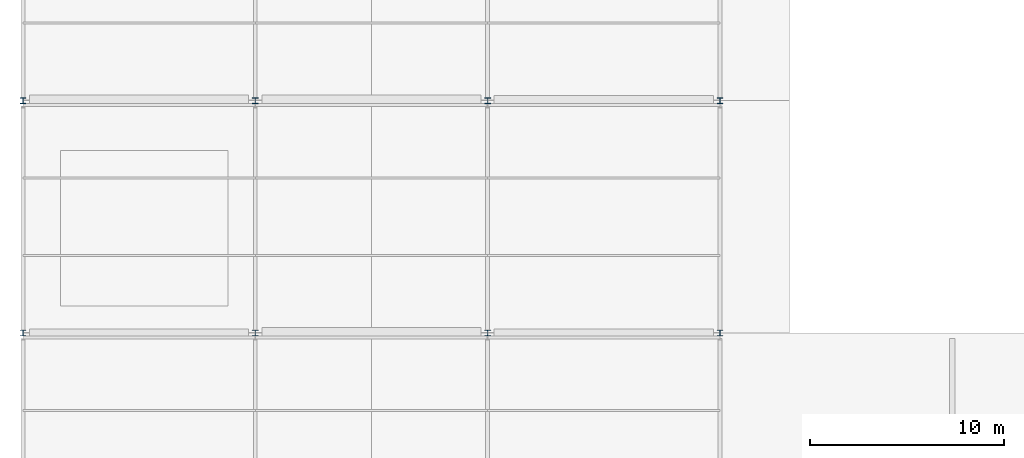
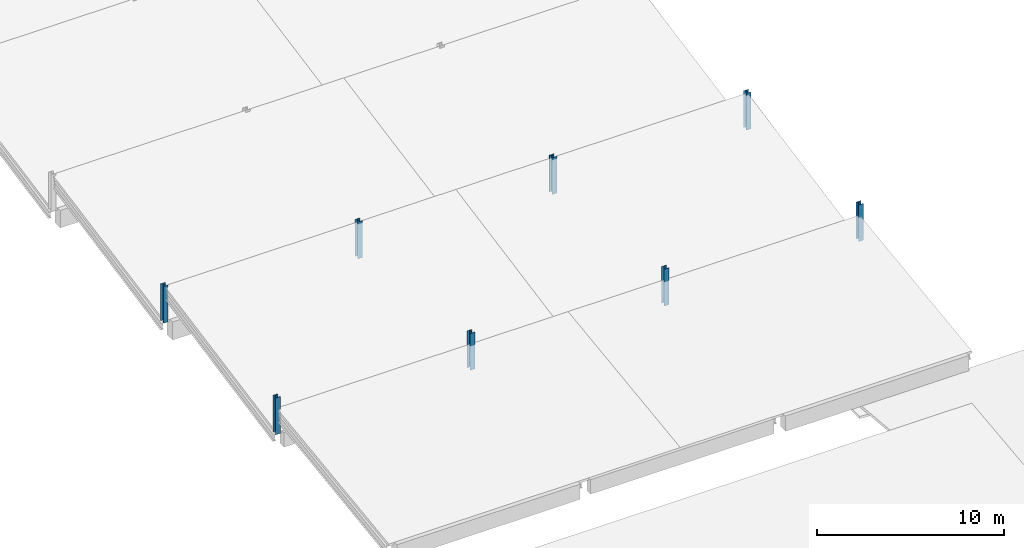
# One storey, part 1 of 23: 8 columns.
"""IFC4 building model written with IfcOpenShell, lengths in metres."""

from ifc_helpers import new_model, si_unit, direction, frame, origin, origin_2d, place, context, subcontext, project, spatial, i_section, extrude, material, material_profile, profile_set, type_object, element, save


model = new_model("IFC4")

# Units and contexts
model_context = context("Model", 3, precision=1e-05, world=origin(), true_north=direction((0.0, 1.0)))
body_context = subcontext(model_context, "Body", "Model", "MODEL_VIEW")
ifc_project = project(units=[si_unit("LENGTHUNIT", "METRE"), si_unit("AREAUNIT", "SQUARE_METRE"), si_unit("VOLUMEUNIT", "CUBIC_METRE"), si_unit("PLANEANGLEUNIT", "RADIAN"), si_unit("MASSUNIT", "GRAM", prefix="KILO")], contexts=[model_context])

# Site, building, storey
site_placement = place(None, origin())
site = spatial("IfcSite", under=ifc_project, at=site_placement, CompositionType="ELEMENT")
building_placement = place(site_placement, origin())
building = spatial("IfcBuilding", under=site, at=building_placement, Name="Kamomehara Wholesale Market", CompositionType="ELEMENT")
storey_placement = place(building_placement, frame((0.0, 0.0, 21.0)))
storey = spatial("IfcBuildingStorey", under=building, at=storey_placement, Name="RF", CompositionType="ELEMENT", Elevation=21.0)

# Columns
ifc_material_1 = material(Name="Steel SN490B", Category="steel")
ifc_material_profile_1 = material_profile(ifc_material_1, i_section(OverallWidth=0.300048828125, OverallDepth=0.300048828125, WebThickness=0.010009765625, FlangeThickness=0.014892578125, FilletRadius=0.012939453125, at=origin_2d()), Name="H-300x300x10x15")
ifc_profile_set_1 = profile_set([ifc_material_profile_1], Name="Steel SN490B")
column_type_1 = type_object("IfcColumnType", Name="COL-ST-H300", PredefinedType="COLUMN", material=ifc_profile_set_1)
for number, where, z_axis, x_axis, name in (
    (1, (12.0, 72.0, -4.800048828125), (0.0, 0.0, 1.0), (1.0, 0.0, 0.0), "Column CS-03 RF"),
    (2, (24.0, 72.0, -4.800048828125), (0.0, 0.0, 1.0), (1.0, 0.0, 0.0), "Column CS-03 RF"),
):
    element("IfcColumn", number, at=place(storey_placement, frame(where, z_axis=z_axis, x_axis=x_axis)), inside=storey, type_object=column_type_1, Name=name, PredefinedType="COLUMN", context=body_context, shape_type="SweptSolid", body=[
        extrude(i_section(OverallWidth=0.300048828125, OverallDepth=0.300048828125, WebThickness=0.010009765625, FlangeThickness=0.014892578125, FilletRadius=0.012939453125, at=origin_2d()), origin(), (0.0, 0.0, 1.0), 2.400146484375),
    ])
ifc_material_2 = material(Name="Steel SN490B", Category="steel")
ifc_material_profile_2 = material_profile(ifc_material_2, i_section(OverallWidth=0.300048828125, OverallDepth=0.300048828125, WebThickness=0.010009765625, FlangeThickness=0.014892578125, FilletRadius=0.012939453125, at=origin_2d()), Name="H-300x300x10x15")
ifc_profile_set_2 = profile_set([ifc_material_profile_2], Name="Steel SN490B")
column_type_2 = type_object("IfcColumnType", Name="COL-ST-H300-EXT", PredefinedType="COLUMN", material=ifc_profile_set_2)
for number, where, z_axis, x_axis, name in (
    (3, (0.0, 60.0, -4.800048828125), (0.0, 0.0, 1.0), (1.0, 0.0, 0.0), "Column CS-03E RF"),
    (4, (0.0, 72.0, -4.800048828125), (0.0, 0.0, 1.0), (1.0, 0.0, 0.0), "Column CS-03E RF"),
    (5, (12.0, 60.0, -4.800048828125), (0.0, 0.0, 1.0), (1.0, 0.0, 0.0), "Column CS-03E RF"),
    (6, (24.0, 60.0, -4.800048828125), (0.0, 0.0, 1.0), (1.0, 0.0, 0.0), "Column CS-03E RF"),
    (7, (36.0, 60.0, -4.800048828125), (0.0, 0.0, 1.0), (1.0, 0.0, 0.0), "Column CS-03E RF"),
    (8, (36.0, 72.0, -4.800048828125), (0.0, 0.0, 1.0), (1.0, 0.0, 0.0), "Column CS-03E RF"),
):
    element("IfcColumn", number, at=place(storey_placement, frame(where, z_axis=z_axis, x_axis=x_axis)), inside=storey, type_object=column_type_2, Name=name, PredefinedType="COLUMN", context=body_context, shape_type="SweptSolid", body=[
        extrude(i_section(OverallWidth=0.300048828125, OverallDepth=0.300048828125, WebThickness=0.010009765625, FlangeThickness=0.014892578125, FilletRadius=0.012939453125, at=origin_2d()), origin(), (0.0, 0.0, 1.0), 2.400146484375),
    ])

save(model, "model.ifc")
